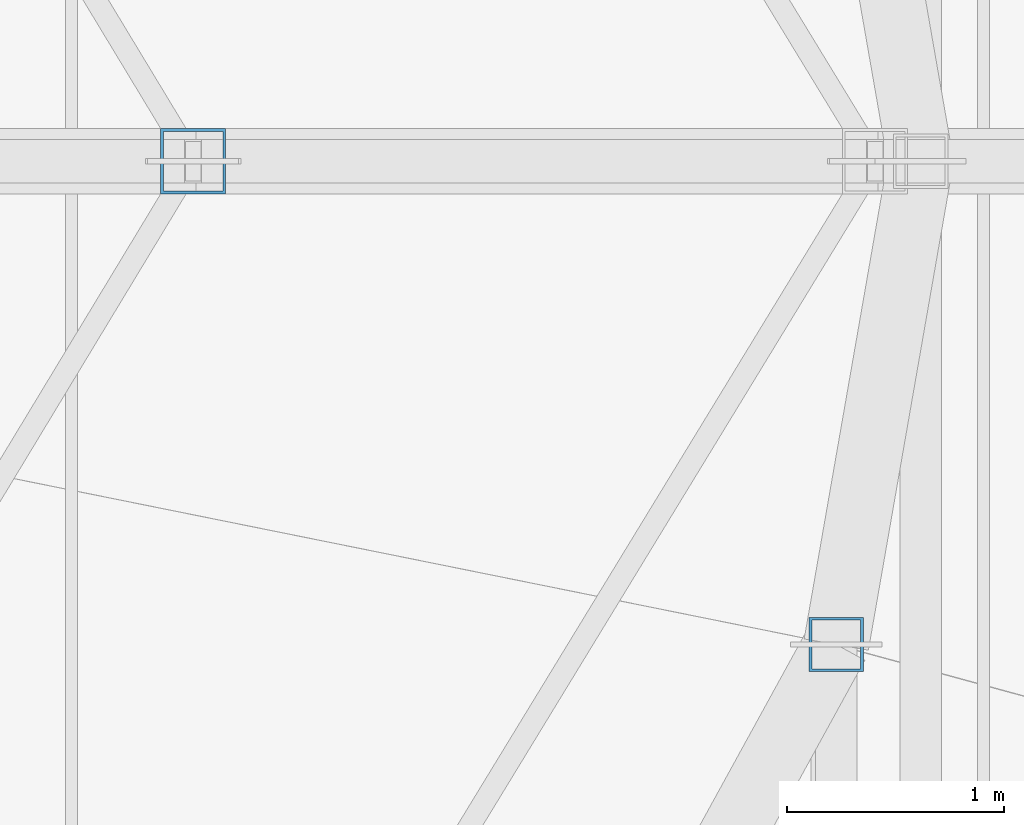
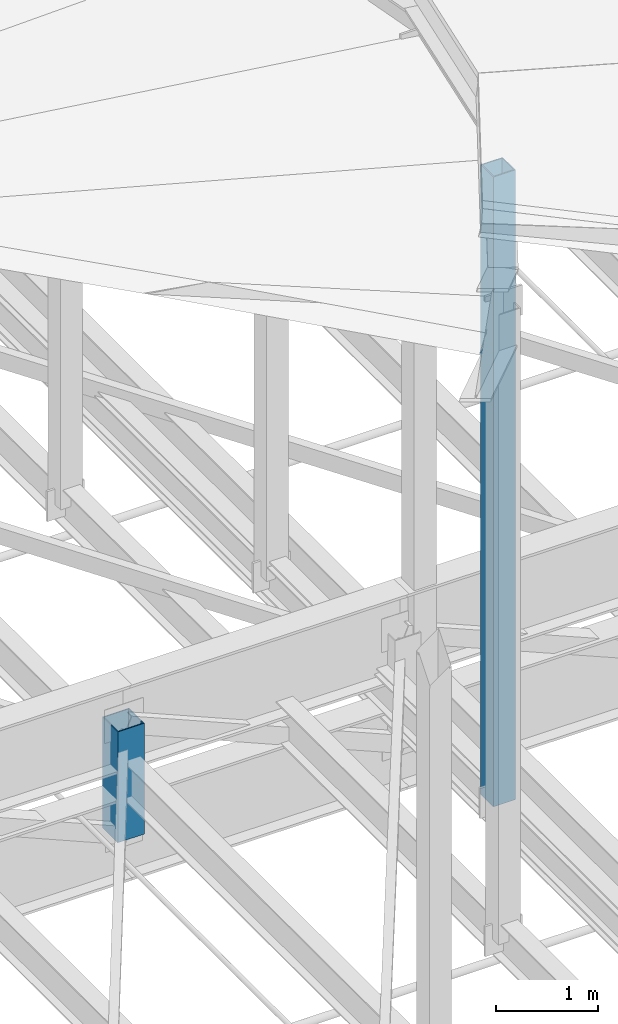
# One storey, part 79 of 184: 2 members.
"""IFC4 building model written with IfcOpenShell, lengths in metres."""

import ifcopenshell
import ifcopenshell.guid

model = None  # the IFC model being written
_history = None  # IfcOwnerHistory: only IFC2X3 demands one
_inside = {}  # id of a spatial element -> (the spatial element, [elements in it])
_under = {}  # id of a project, library or spatial element -> (it, [spatial elements below it])
_declared = {}  # id of a project -> (the project, [libraries it declares])
_typed = {}  # id of a type object -> (the type object, [elements of that type])
_made_of = {}  # id of a material, layer set ... -> (it, [elements and type objects made of it])


def new_model(schema):
    """Start an empty IFC model of exactly this schema.

    Asked for "IFC4X3", IfcOpenShell would pick the latest addendum, in which some entities
    have other attributes; the version numbers below select the first issue.
    IFC2X3 requires an IfcOwnerHistory on every rooted entity: one is made here for all.
    """
    global model, _history
    if schema == "IFC4X3":
        model = ifcopenshell.file(schema_version=(4, 3, 0, 0))
    else:
        model = ifcopenshell.file(schema=schema)
    _inside.clear()
    _under.clear()
    _declared.clear()
    _typed.clear()
    _made_of.clear()
    _history = None
    if model.schema == "IFC2X3":
        org = make("IfcOrganization", Name="unknown")
        user = make(
            "IfcPersonAndOrganization",
            ThePerson=make("IfcPerson", FamilyName="unknown"),
            TheOrganization=org,
        )
        app = make(
            "IfcApplication",
            ApplicationDeveloper=org,
            Version="unknown",
            ApplicationFullName="unknown",
            ApplicationIdentifier="unknown",
        )
        _history = make(
            "IfcOwnerHistory",
            OwningUser=user,
            OwningApplication=app,
            ChangeAction="ADDED",
            CreationDate=0,
        )
    return model


def make(cls, **values):
    """One entity of the class cls with the attributes given. An attribute that is None is left unset."""
    return model.create_entity(
        cls, **{name: value for name, value in values.items() if value is not None}
    )


def rooted(cls, **values):
    """An entity with a GlobalId (a new one), such as an element, a storey or a relation."""
    return make(cls, GlobalId=ifcopenshell.guid.new(), OwnerHistory=_history, **values)


def si_unit(unit_type, name, prefix=None):
    """IfcSIUnit, for example si_unit("LENGTHUNIT", "METRE", prefix="MILLI")."""
    return make("IfcSIUnit", UnitType=unit_type, Prefix=prefix, Name=name)


def assignment(units):
    """IfcUnitAssignment: the units of a project."""
    return None if units is None else make("IfcUnitAssignment", Units=units)


def point(xyz):
    """IfcCartesianPoint."""
    return None if xyz is None else make("IfcCartesianPoint", Coordinates=xyz)


def direction(xyz):
    """IfcDirection."""
    return None if xyz is None else make("IfcDirection", DirectionRatios=xyz)


def frame(location, z_axis=None, x_axis=None):
    """IfcAxis2Placement3D, a coordinate frame: its origin and axes. An axis left out is left unset."""
    return make(
        "IfcAxis2Placement3D",
        Location=point(location),
        Axis=direction(z_axis),
        RefDirection=direction(x_axis),
    )


def frame_2d(location, x_axis=None):
    """IfcAxis2Placement2D, a coordinate frame in the plane: its origin and x axis."""
    return make(
        "IfcAxis2Placement2D", Location=point(location), RefDirection=direction(x_axis)
    )


def origin():
    """The frame at (0, 0, 0) with its axes left unset."""
    return frame((0.0, 0.0, 0.0))


def origin_2d():
    """The frame at (0, 0) in the plane with its x axis left unset."""
    return frame_2d((0.0, 0.0))


def place(relative_to, where):
    """IfcLocalPlacement: puts the frame where relative to a parent placement (None: the world)."""
    return make(
        "IfcLocalPlacement", PlacementRelTo=relative_to, RelativePlacement=where
    )


def context(
    kind, dimensions, precision=None, world=None, true_north=None, identifier=None
):
    """IfcGeometricRepresentationContext, for example the 3D "Model" context."""
    return make(
        "IfcGeometricRepresentationContext",
        ContextIdentifier=identifier,
        ContextType=kind,
        CoordinateSpaceDimension=dimensions,
        Precision=precision,
        WorldCoordinateSystem=world,
        TrueNorth=true_north,
    )


def subcontext(parent, identifier, kind, view, scale=None):
    """IfcGeometricRepresentationSubContext, for example "Body" below "Model"."""
    return make(
        "IfcGeometricRepresentationSubContext",
        ContextIdentifier=identifier,
        ContextType=kind,
        ParentContext=parent,
        TargetScale=scale,
        TargetView=view,
    )


def project(units=None, contexts=None):
    """IfcProject with its units and contexts."""
    return rooted(
        "IfcProject",
        Name="project",
        RepresentationContexts=contexts,
        UnitsInContext=assignment(units),
    )


def spatial(cls, under=None, at=None, **own):
    """A site, building, storey or space (cls), placed at a placement, below another one or the project."""
    s = rooted(cls, ObjectPlacement=at, **own)
    if under is not None:
        _under.setdefault(under.id(), (under, []))[1].append(s)
    return s


def profile(cls, at=None, kind="AREA", **sizes):
    """A parametric profile (cls). Its sizes go by their IFC names, for example OverallWidth=200.0."""
    return make(cls, ProfileType=kind, Position=at, **sizes)


def hollow_rectangle(**sizes):
    """IfcRectangleHollowProfileDef."""
    return profile("IfcRectangleHollowProfileDef", **sizes)


def extrude(swept, where, along, depth):
    """IfcExtrudedAreaSolid: the profile swept, set in the frame where, extruded along a direction by depth."""
    return make(
        "IfcExtrudedAreaSolid",
        SweptArea=swept,
        Position=where,
        ExtrudedDirection=direction(along),
        Depth=depth,
    )


def shape(context_of_items, identifier, shape_type, items):
    """IfcShapeRepresentation: the items that make up one representation, for example the "Body"."""
    return make(
        "IfcShapeRepresentation",
        ContextOfItems=context_of_items,
        RepresentationIdentifier=identifier,
        RepresentationType=shape_type,
        Items=items,
    )


def material(Name=None, Category=None):
    """IfcMaterial."""
    return make("IfcMaterial", Name=Name, Category=Category)


def material_profile(
    of_material, cross_section, Name=None, Category=None, Priority=None
):
    """IfcMaterialProfile: a cross section and its material."""
    return make(
        "IfcMaterialProfile",
        Name=Name,
        Material=of_material,
        Profile=cross_section,
        Priority=Priority,
        Category=Category,
    )


def profile_set(profiles, Name=None, composite=None):
    """IfcMaterialProfileSet."""
    return make(
        "IfcMaterialProfileSet",
        Name=Name,
        MaterialProfiles=profiles,
        CompositeProfile=composite,
    )


def made_of(thing, what):
    """Note that an element or type object is made of a material, layer set ...; save() writes the relation."""
    if what is not None:
        _made_of.setdefault(what.id(), (what, []))[1].append(thing)
    return thing


def type_object(cls, material=None, **own):
    """A type object (cls), such as IfcWallType, which elements share."""
    return made_of(rooted(cls, **own), material)


def element(
    cls,
    number,
    at=None,
    inside=None,
    cuts=None,
    type_object=None,
    material=None,
    context=None,
    identifier="Body",
    shape_type=None,
    held_by="IfcProductDefinitionShape",
    body=None,
    shapes=None,
    **own,
):
    """One element of the class cls, such as IfcWall. Its Tag is "e" and its number.

    at: its placement. inside: the storey or other place that contains it. cuts: it is an
    opening in that element (IfcRelVoidsElement). A single representation is given by context,
    identifier, shape_type and body (its items); several are given by shapes. held_by: the class
    of the entity that holds the representations. save() writes the other relations.
    """
    e = rooted(cls, Tag="e%d" % number, ObjectPlacement=at, **own)
    if body is not None:
        shapes = [shape(context, identifier, shape_type, body)]
    if shapes is not None:
        e.Representation = make(held_by, Representations=shapes)
    if inside is not None:
        _inside.setdefault(inside.id(), (inside, []))[1].append(e)
    if cuts is not None:
        rooted(
            "IfcRelVoidsElement", RelatingBuildingElement=cuts, RelatedOpeningElement=e
        )
    if type_object is not None:
        _typed.setdefault(type_object.id(), (type_object, []))[1].append(e)
    return made_of(e, material)


def aggregate(whole, parts):
    """IfcRelAggregates: a whole, such as a stair, and the parts it consists of."""
    return rooted("IfcRelAggregates", RelatingObject=whole, RelatedObjects=parts)


def save(model, path):
    """Write the relations noted so far, then the file.

    IfcRelAggregates (storeys below a building ...), IfcRelContainedInSpatialStructure (elements
    in a storey), IfcRelDefinesByType, IfcRelAssociatesMaterial and IfcRelDeclares: one each for
    every whole, place, type object, material and project.
    """
    for whole, parts in _under.values():
        aggregate(whole, parts)
    for where, things in _inside.values():
        rooted(
            "IfcRelContainedInSpatialStructure",
            RelatedElements=things,
            RelatingStructure=where,
        )
    for kind, things in _typed.values():
        rooted("IfcRelDefinesByType", RelatedObjects=things, RelatingType=kind)
    for what, things in _made_of.values():
        rooted("IfcRelAssociatesMaterial", RelatedObjects=things, RelatingMaterial=what)
    for by, libraries in _declared.values():
        rooted("IfcRelDeclares", RelatingContext=by, RelatedDefinitions=libraries)
    model.write(path)


model = new_model("IFC4")

# Units and contexts
model_context = context("Model", 3, precision=1e-05, world=origin(), true_north=direction((0.0, 1.0)))
body_context = subcontext(model_context, "Body", "Model", "MODEL_VIEW")
ifc_project = project(units=[si_unit("LENGTHUNIT", "METRE"), si_unit("AREAUNIT", "SQUARE_METRE"), si_unit("VOLUMEUNIT", "CUBIC_METRE"), si_unit("PLANEANGLEUNIT", "RADIAN"), si_unit("MASSUNIT", "GRAM", prefix="KILO")], contexts=[model_context])

# Site, building, storey
site_placement = place(None, origin())
site = spatial("IfcSite", under=ifc_project, at=site_placement, CompositionType="ELEMENT")
building_placement = place(site_placement, origin())
building = spatial("IfcBuilding", under=site, at=building_placement, Name="Kalgoora Escarpment Arena", CompositionType="ELEMENT")
storey_placement = place(building_placement, frame((0.0, 0.0, 27.60009765625)))
storey = spatial("IfcBuildingStorey", under=building, at=storey_placement, Name="Roof Level", CompositionType="ELEMENT", Elevation=27.60009765625)

# Members
ifc_material_1 = material(Name="Structural steel C450 (450 MPa)", Category="steel")
ifc_material_profile_1 = material_profile(ifc_material_1, hollow_rectangle(XDim=0.25, YDim=0.25, WallThickness=0.012451171875, at=origin_2d()))
ifc_profile_set_1 = profile_set([ifc_material_profile_1], Name="Structural steel C450 (450 MPa)")
member_type_1 = type_object("IfcMemberType", Name="MEM-PETAL-POST", PredefinedType="POST", material=ifc_profile_set_1)
member_1_placement = place(storey_placement, frame((121.12158203125, 61.774169921875, -0.900146484375), z_axis=(0.0, 0.0, 1.0), x_axis=(1.0, 0.0, 0.0)))
element("IfcMember", 1, at=member_1_placement, inside=storey, type_object=member_type_1, Name="Crown dome vertical post 24", PredefinedType="POST", context=body_context, shape_type="SweptSolid", body=[
    extrude(hollow_rectangle(XDim=0.25, YDim=0.25, WallThickness=0.012451171875, at=origin_2d()), origin(), (0.0, 0.0, 1.0), 7.550048828125),
])
ifc_material_2 = material(Name="Structural steel C450 (450 MPa)", Category="steel")
ifc_material_profile_2 = material_profile(ifc_material_2, hollow_rectangle(XDim=0.300048828125, YDim=0.300048828125, WallThickness=0.012451171875, at=origin_2d()))
ifc_profile_set_2 = profile_set([ifc_material_profile_2], Name="Structural steel C450 (450 MPa)")
member_type_2 = type_object("IfcMemberType", Name="MEM-TRUSS-POST", PredefinedType="POST", material=ifc_profile_set_2)
member_2_placement = place(storey_placement, frame((118.159912109375, 64.0, -1.6201171875), z_axis=(0.0, 0.0, 1.0), x_axis=(-1.0, 0.0, 0.0)))
element("IfcMember", 2, at=member_2_placement, inside=storey, type_object=member_type_2, Name="Radial ROOF TRUSS spine 1 post 7", PredefinedType="POST", context=body_context, shape_type="SweptSolid", body=[
    extrude(hollow_rectangle(XDim=0.300048828125, YDim=0.300048828125, WallThickness=0.012451171875, at=origin_2d()), origin(), (0.0, 0.0, 1.0), 1.330078125),
])

save(model, "model.ifc")
